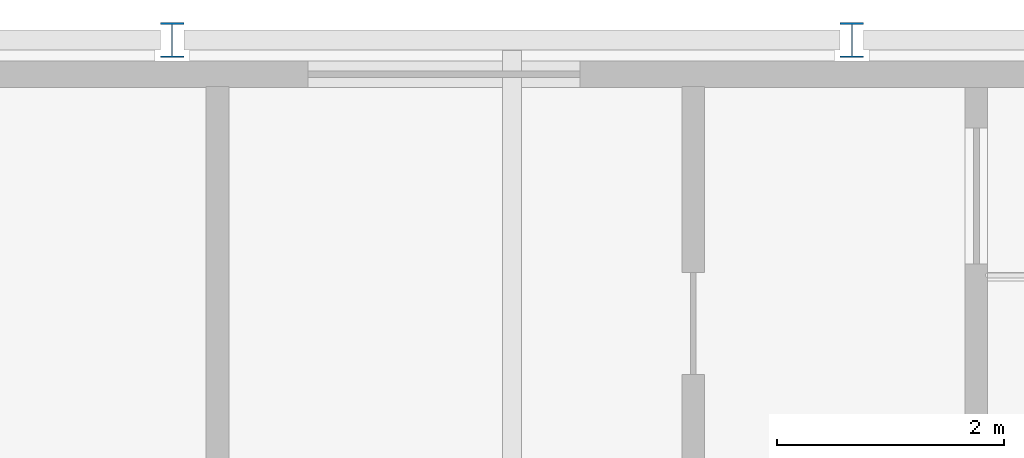
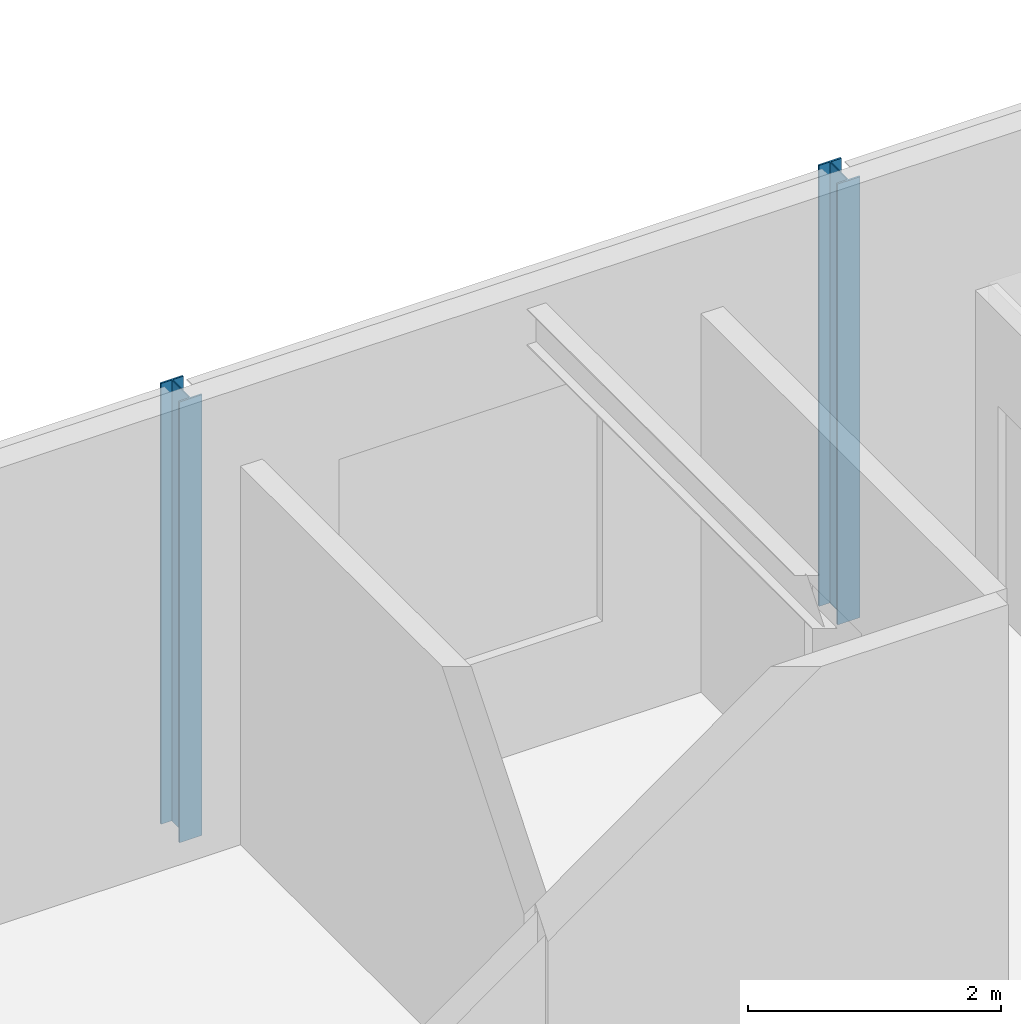
# One storey, part 10 of 169: 2 columns.
"""IFC4 building model written with IfcOpenShell, lengths in metres."""

from ifc_helpers import new_model, si_unit, direction, frame, origin, origin_2d, place, context, subcontext, project, spatial, i_section, extrude, material, material_profile, profile_set, type_object, element, save


model = new_model("IFC4")

# Units and contexts
model_context = context("Model", 3, precision=1e-05, world=origin(), true_north=direction((0.0, 1.0)))
body_context = subcontext(model_context, "Body", "Model", "MODEL_VIEW")
ifc_project = project(units=[si_unit("LENGTHUNIT", "METRE"), si_unit("AREAUNIT", "SQUARE_METRE"), si_unit("VOLUMEUNIT", "CUBIC_METRE"), si_unit("PLANEANGLEUNIT", "RADIAN"), si_unit("MASSUNIT", "GRAM", prefix="KILO")], contexts=[model_context])

# Site, building, storey
site_placement = place(None, origin())
site = spatial("IfcSite", under=ifc_project, at=site_placement, CompositionType="ELEMENT")
building_placement = place(site_placement, origin())
building = spatial("IfcBuilding", under=site, at=building_placement, Name="Verrick Yard Athletic Hall", CompositionType="ELEMENT")
storey_placement = place(building_placement, frame((0.0, 0.0, 4.39990234375)))
storey = spatial("IfcBuildingStorey", under=building, at=storey_placement, Name="L01", CompositionType="ELEMENT", Elevation=4.39990234375)

# Columns
ifc_material = material(Name="Structural steel 350W (CSA G40.21)", Category="steel")
ifc_material_profile = material_profile(ifc_material, i_section(OverallWidth=0.205078125, OverallDepth=0.31005859375, WebThickness=0.009521484375, FlangeThickness=0.016357421875, at=origin_2d()), Name="W310x74")
ifc_profile_set = profile_set([ifc_material_profile], Name="Structural steel 350W (CSA G40.21)")
column_type = type_object("IfcColumnType", Name="HB column W310x74", PredefinedType="COLUMN", material=ifc_profile_set)
for number, where, z_axis, x_axis, name in (
    (1, (64.0, 108.0, 0.0), (0.0, 0.0, 1.0), (1.0, 0.0, 0.0), "HB-C-B-B6N-L01"),
    (2, (70.0, 108.0, 0.0), (0.0, 0.0, 1.0), (1.0, 0.0, 0.0), "HB-C-B-B7N-L01"),
):
    element("IfcColumn", number, at=place(storey_placement, frame(where, z_axis=z_axis, x_axis=x_axis)), inside=storey, type_object=column_type, Name=name, PredefinedType="COLUMN", context=body_context, shape_type="SweptSolid", body=[
        extrude(i_section(OverallWidth=0.205078125, OverallDepth=0.31005859375, WebThickness=0.009521484375, FlangeThickness=0.016357421875, at=origin_2d()), origin(), (0.0, 0.0, 1.0), 4.25),
    ])

save(model, "model.ifc")
